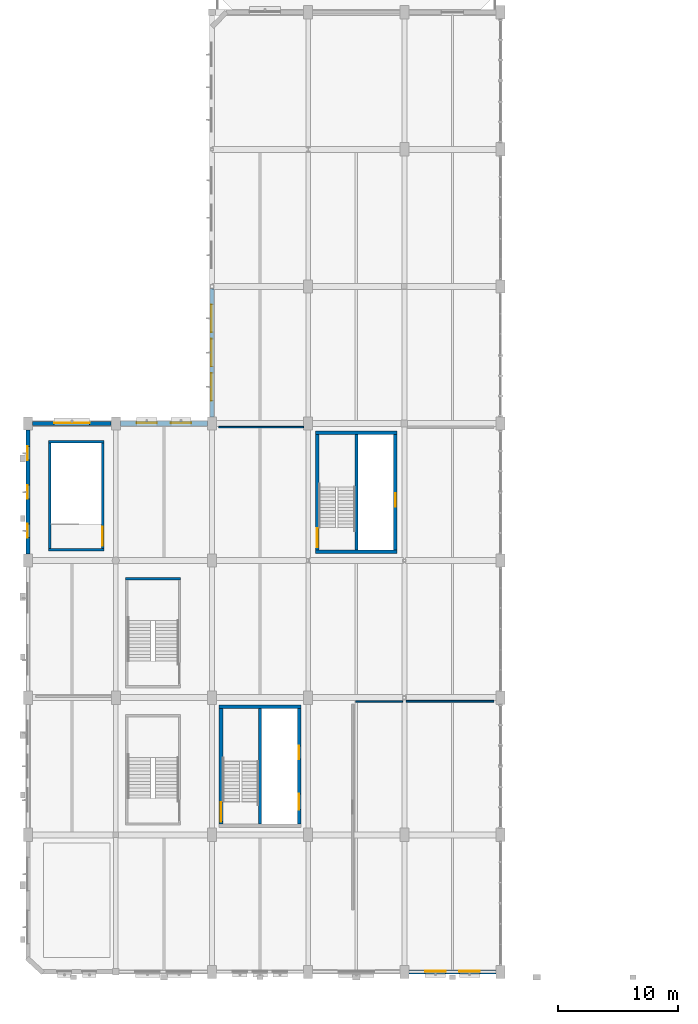
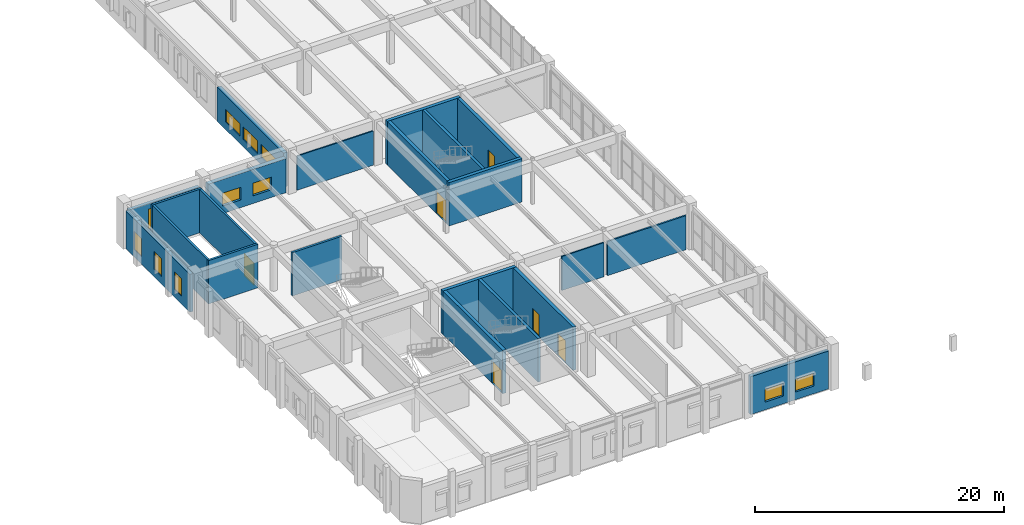
# One storey, part 65 of 80: 22 walls, 11 windows, 6 doors, 17 openings.
"""IFC4 building model written with IfcOpenShell, lengths in metres."""

from ifc_helpers import new_model, si_unit, direction, frame, frame_2d, origin, place, context, subcontext, project, spatial, rectangle, extrude, material, layer, layer_set, type_object, element, fill, save


model = new_model("IFC4")

# Units and contexts
model_context = context("Model", 3, precision=1e-05, world=origin(), true_north=direction((0.0, 1.0)))
body_context = subcontext(model_context, "Body", "Model", "MODEL_VIEW")
ifc_project = project(units=[si_unit("LENGTHUNIT", "METRE"), si_unit("AREAUNIT", "SQUARE_METRE"), si_unit("VOLUMEUNIT", "CUBIC_METRE"), si_unit("PLANEANGLEUNIT", "RADIAN"), si_unit("MASSUNIT", "GRAM", prefix="KILO"), si_unit("POWERUNIT", "WATT"), si_unit("THERMODYNAMICTEMPERATUREUNIT", "KELVIN")], contexts=[model_context])

# Site, building, storey
site_placement = place(None, origin())
site = spatial("IfcSite", under=ifc_project, at=site_placement, CompositionType="ELEMENT")
building_placement = place(site_placement, origin())
building = spatial("IfcBuilding", under=site, at=building_placement, Name="Kelmbourne Parkland Aquatics Centre", CompositionType="ELEMENT")
storey_placement = place(building_placement, frame((0.0, 0.0, 10.199951171875)))
storey = spatial("IfcBuildingStorey", under=building, at=storey_placement, Name="L02", CompositionType="ELEMENT", Elevation=10.199951171875)

# Walls
ifc_material_1 = material(Name="Concrete C40/50", Category="concrete")
ifc_layer_1 = layer(ifc_material_1, 0.25)
ifc_layer_set_1 = layer_set([ifc_layer_1], Name="Concrete C40/50")
wall_type_1 = type_object("IfcWallType", Name="W-CORE-250", PredefinedType="SHEAR", material=ifc_layer_set_1)
wall_1_placement = place(storey_placement, frame((20.0, 13.10009765625, 0.0), z_axis=(0.0, 0.0, 1.0), x_axis=(0.0, 1.0, 0.0)))
element("IfcWall", 1, at=wall_1_placement, inside=storey, type_object=wall_type_1, Name="West Wing South Fire-Fighting Core divider wall (L02)", PredefinedType="SHEAR", context=body_context, shape_type="SweptSolid", body=[
    extrude(rectangle(XDim=9.599853515625, YDim=0.25, at=frame_2d((4.7998046875, 0.0))), origin(), (0.0, 0.0, 1.0), 4.260009765625),
])
wall_2_placement = place(storey_placement, frame((28.0, 35.89990234375, 0.0), z_axis=(0.0, 0.0, 1.0), x_axis=(0.0, 1.0, 0.0)))
element("IfcWall", 2, at=wall_2_placement, inside=storey, type_object=wall_type_1, Name="West Wing North Passenger Core divider wall (L02)", PredefinedType="SHEAR", context=body_context, shape_type="SweptSolid", body=[
    extrude(rectangle(XDim=9.60009765625, YDim=0.25, at=frame_2d((4.800048828125, 0.0))), origin(), (0.0, 0.0, 1.0), 4.260009765625),
])
ifc_layer_2 = layer(ifc_material_1, 0.300048828125)
ifc_layer_set_2 = layer_set([ifc_layer_2], Name="Concrete C40/50")
wall_type_2 = type_object("IfcWallType", Name="W-CORE-300", PredefinedType="SHEAR", material=ifc_layer_set_2)
wall_3_placement = place(storey_placement, frame((16.60009765625, 22.85009765625, 0.0), z_axis=(0.0, 0.0, 1.0), x_axis=(1.0, 0.0, 0.0)))
element("IfcWall", 3, at=wall_3_placement, inside=storey, type_object=wall_type_2, Name="West Wing South Fire-Fighting Core north wall (L02)", PredefinedType="SHEAR", context=body_context, shape_type="SweptSolid", body=[
    extrude(rectangle(XDim=6.7998046875, YDim=0.300048828125, at=frame_2d((3.39990234375, 0.0))), origin(), (0.0, 0.0, 1.0), 4.260009765625),
])

# Wall, opening, door
wall_4_placement = place(storey_placement, frame((16.75, 13.10009765625, 0.0), z_axis=(0.0, 0.0, 1.0), x_axis=(0.0, 1.0, 0.0)))
wall_4 = element("IfcWall", 4, at=wall_4_placement, inside=storey, type_object=wall_type_2, Name="West Wing South Fire-Fighting Core west wall (L02)", PredefinedType="SHEAR", context=body_context, shape_type="SweptSolid", body=[
    extrude(rectangle(XDim=9.599853515625, YDim=0.300048828125, at=frame_2d((4.7998046875, 0.0))), origin(), (0.0, 0.0, 1.0), 4.260009765625),
])
opening_1_placement = place(wall_4_placement, frame((0.199951171875, 0.0, 0.0)))
opening_1 = element("IfcOpeningElement", 5, at=opening_1_placement, cuts=wall_4, Name="Opening FD02", PredefinedType="OPENING", context=body_context, shape_type="SweptSolid", body=[
    extrude(rectangle(XDim=1.60009765625, YDim=2.199951171875, at=frame_2d((0.800048828125, 1.10009765625))), frame((0.0, 0.162109375, 0.0), z_axis=(0.0, -1.0, 0.0), x_axis=(1.0, 0.0, 0.0)), (0.0, 0.0, 1.0), 0.323974609375),
])
ifc_material_2 = material(Name="Marine-grade stainless steel and fire-rated hardwood doorset", Category="steel")
ifc_layer_3 = layer(ifc_material_2, 0.050048828125)
ifc_layer_set_3 = layer_set([ifc_layer_3], Name="Marine-grade stainless steel and fire-rated hardwood doorset")
door_type_1 = type_object("IfcDoorType", Name="DR-FD-160", OperationType="NOTDEFINED", PredefinedType="DOOR", material=ifc_layer_set_3)
door_1_placement = place(opening_1_placement, origin())
door_1 = element("IfcDoor", 6, at=door_1_placement, inside=storey, type_object=door_type_1, Name="Fire stair door ST01 (L02)", OperationType="DOUBLE_DOOR_SINGLE_SWING", OverallHeight=2.199951171875, OverallWidth=1.60009765625, PredefinedType="DOOR", context=body_context, shape_type="SweptSolid", body=[
    extrude(rectangle(XDim=1.60009765625, YDim=2.199951171875, at=frame_2d((0.800048828125, 1.10009765625))), frame((0.0, 0.02490234375, 0.0), z_axis=(0.0, -1.0, 0.0), x_axis=(1.0, 0.0, 0.0)), (0.0, 0.0, 1.0), 0.050048828125),
])
fill(opening_1, door_1)

# Wall, openings, doors
wall_5_placement = place(storey_placement, frame((23.25, 13.10009765625, 0.0), z_axis=(0.0, 0.0, 1.0), x_axis=(0.0, 1.0, 0.0)))
wall_5 = element("IfcWall", 7, at=wall_5_placement, inside=storey, type_object=wall_type_2, Name="West Wing South Fire-Fighting Core east wall (L02)", PredefinedType="SHEAR", context=body_context, shape_type="SweptSolid", body=[
    extrude(rectangle(XDim=9.599853515625, YDim=0.300048828125, at=frame_2d((4.7998046875, 0.0))), origin(), (0.0, 0.0, 1.0), 4.260009765625),
])
opening_2_placement = place(wall_5_placement, frame((1.199951171875, 0.0, 0.0)))
opening_2 = element("IfcOpeningElement", 8, at=opening_2_placement, cuts=wall_5, Name="Opening LD02", PredefinedType="OPENING", context=body_context, shape_type="SweptSolid", body=[
    extrude(rectangle(XDim=1.300048828125, YDim=2.199951171875, at=frame_2d((0.64990234375, 1.10009765625))), frame((0.0, 0.162109375, 0.0), z_axis=(0.0, -1.0, 0.0), x_axis=(1.0, 0.0, 0.0)), (0.0, 0.0, 1.0), 0.323974609375),
])
opening_3_placement = place(wall_5_placement, frame((5.39990234375, 0.0, 0.0)))
opening_3 = element("IfcOpeningElement", 9, at=opening_3_placement, cuts=wall_5, Name="Opening LD01", PredefinedType="OPENING", context=body_context, shape_type="SweptSolid", body=[
    extrude(rectangle(XDim=1.10009765625, YDim=2.199951171875, at=frame_2d((0.550048828125, 1.10009765625))), frame((0.0, 0.162109375, 0.0), z_axis=(0.0, -1.0, 0.0), x_axis=(1.0, 0.0, 0.0)), (0.0, 0.0, 1.0), 0.323974609375),
])
ifc_layer_4 = layer(ifc_material_2, 0.050048828125)
ifc_layer_set_4 = layer_set([ifc_layer_4], Name="Marine-grade stainless steel and fire-rated hardwood doorset")
door_type_2 = type_object("IfcDoorType", Name="DR-LD-110", OperationType="NOTDEFINED", PredefinedType="DOOR", material=ifc_layer_set_4)
door_2_placement = place(opening_3_placement, origin())
door_2 = element("IfcDoor", 10, at=door_2_placement, inside=storey, type_object=door_type_2, Name="Lift landing sliding door LF02 (L02)", OperationType="SLIDING_TO_RIGHT", OverallHeight=2.199951171875, OverallWidth=1.10009765625, PredefinedType="DOOR", context=body_context, shape_type="SweptSolid", body=[
    extrude(rectangle(XDim=1.10009765625, YDim=2.199951171875, at=frame_2d((0.550048828125, 1.10009765625))), frame((0.0, 0.02490234375, 0.0), z_axis=(0.0, -1.0, 0.0), x_axis=(1.0, 0.0, 0.0)), (0.0, 0.0, 1.0), 0.050048828125),
])
fill(opening_3, door_2)
ifc_layer_5 = layer(ifc_material_2, 0.050048828125)
ifc_layer_set_5 = layer_set([ifc_layer_5], Name="Marine-grade stainless steel and fire-rated hardwood doorset")
door_type_3 = type_object("IfcDoorType", Name="DR-LD-130", OperationType="NOTDEFINED", PredefinedType="DOOR", material=ifc_layer_set_5)
door_3_placement = place(opening_2_placement, origin())
door_3 = element("IfcDoor", 11, at=door_3_placement, inside=storey, type_object=door_type_3, Name="Lift landing sliding door LF01 (L02)", OperationType="SLIDING_TO_LEFT", OverallHeight=2.199951171875, OverallWidth=1.300048828125, PredefinedType="DOOR", context=body_context, shape_type="SweptSolid", body=[
    extrude(rectangle(XDim=1.300048828125, YDim=2.199951171875, at=frame_2d((0.64990234375, 1.10009765625))), frame((0.0, 0.02490234375, 0.0), z_axis=(0.0, -1.0, 0.0), x_axis=(1.0, 0.0, 0.0)), (0.0, 0.0, 1.0), 0.050048828125),
])
fill(opening_2, door_3)

# Walls
for number, where, z_axis, x_axis, name in (
    (12, (24.60009765625, 35.75, 0.0), (0.0, 0.0, 1.0), (1.0, 0.0, 0.0), "West Wing North Passenger Core south wall (L02)"),
    (13, (24.60009765625, 45.64990234375, 0.0), (0.0, 0.0, 1.0), (1.0, 0.0, 0.0), "West Wing North Passenger Core north wall (L02)"),
):
    element("IfcWall", number, at=place(storey_placement, frame(where, z_axis=z_axis, x_axis=x_axis)), inside=storey, type_object=wall_type_2, Name=name, PredefinedType="SHEAR", context=body_context, shape_type="SweptSolid", body=[
        extrude(rectangle(XDim=6.7998046875, YDim=0.300048828125, at=frame_2d((3.39990234375, 0.0))), origin(), (0.0, 0.0, 1.0), 4.260009765625),
    ])

# Wall, opening, door
wall_6_placement = place(storey_placement, frame((24.75, 35.89990234375, 0.0), z_axis=(0.0, 0.0, 1.0), x_axis=(0.0, 1.0, 0.0)))
wall_6 = element("IfcWall", 14, at=wall_6_placement, inside=storey, type_object=wall_type_2, Name="West Wing North Passenger Core west wall (L02)", PredefinedType="SHEAR", context=body_context, shape_type="SweptSolid", body=[
    extrude(rectangle(XDim=9.60009765625, YDim=0.300048828125, at=frame_2d((4.800048828125, 0.0))), origin(), (0.0, 0.0, 1.0), 4.260009765625),
])
opening_4_placement = place(wall_6_placement, frame((0.199951171875, 0.0, 0.0)))
opening_4 = element("IfcOpeningElement", 15, at=opening_4_placement, cuts=wall_6, Name="Opening FD02", PredefinedType="OPENING", context=body_context, shape_type="SweptSolid", body=[
    extrude(rectangle(XDim=1.60009765625, YDim=2.199951171875, at=frame_2d((0.800048828125, 1.10009765625))), frame((0.0, 0.162109375, 0.0), z_axis=(0.0, -1.0, 0.0), x_axis=(1.0, 0.0, 0.0)), (0.0, 0.0, 1.0), 0.323974609375),
])
door_4_placement = place(opening_4_placement, origin())
door_4 = element("IfcDoor", 16, at=door_4_placement, inside=storey, type_object=door_type_1, Name="Fire stair door ST02 (L02)", OperationType="DOUBLE_DOOR_SINGLE_SWING", OverallHeight=2.199951171875, OverallWidth=1.60009765625, PredefinedType="DOOR", context=body_context, shape_type="SweptSolid", body=[
    extrude(rectangle(XDim=1.60009765625, YDim=2.199951171875, at=frame_2d((0.800048828125, 1.10009765625))), frame((0.0, 0.02490234375, 0.0), z_axis=(0.0, -1.0, 0.0), x_axis=(1.0, 0.0, 0.0)), (0.0, 0.0, 1.0), 0.050048828125),
])
fill(opening_4, door_4)

wall_7_placement = place(storey_placement, frame((31.25, 35.89990234375, 0.0), z_axis=(0.0, 0.0, 1.0), x_axis=(0.0, 1.0, 0.0)))
wall_7 = element("IfcWall", 17, at=wall_7_placement, inside=storey, type_object=wall_type_2, Name="West Wing North Passenger Core east wall (L02)", PredefinedType="SHEAR", context=body_context, shape_type="SweptSolid", body=[
    extrude(rectangle(XDim=9.60009765625, YDim=0.300048828125, at=frame_2d((4.800048828125, 0.0))), origin(), (0.0, 0.0, 1.0), 4.260009765625),
])
opening_5_placement = place(wall_7_placement, frame((3.60009765625, 0.0, 0.0)))
opening_5 = element("IfcOpeningElement", 18, at=opening_5_placement, cuts=wall_7, Name="Opening LD01", PredefinedType="OPENING", context=body_context, shape_type="SweptSolid", body=[
    extrude(rectangle(XDim=1.10009765625, YDim=2.199951171875, at=frame_2d((0.550048828125, 1.10009765625))), frame((0.0, 0.162109375, 0.0), z_axis=(0.0, -1.0, 0.0), x_axis=(1.0, 0.0, 0.0)), (0.0, 0.0, 1.0), 0.323974609375),
])
door_5_placement = place(opening_5_placement, origin())
door_5 = element("IfcDoor", 19, at=door_5_placement, inside=storey, type_object=door_type_2, Name="Lift landing sliding door LF03 (L02)", OperationType="SLIDING_TO_LEFT", OverallHeight=2.199951171875, OverallWidth=1.10009765625, PredefinedType="DOOR", context=body_context, shape_type="SweptSolid", body=[
    extrude(rectangle(XDim=1.10009765625, YDim=2.199951171875, at=frame_2d((0.550048828125, 1.10009765625))), frame((0.0, 0.02490234375, 0.0), z_axis=(0.0, -1.0, 0.0), x_axis=(1.0, 0.0, 0.0)), (0.0, 0.0, 1.0), 0.050048828125),
])
fill(opening_5, door_5)

# Wall, openings, windows
ifc_material_3 = material(Name="Russet clinker clay brickwork", Category="masonry")
ifc_layer_6 = layer(ifc_material_3, 0.31005859375)
ifc_layer_set_6 = layer_set([ifc_layer_6], Name="Russet clinker clay brickwork")
wall_type_3 = type_object("IfcWallType", Name="W-EXT-310", PredefinedType="STANDARD", material=ifc_layer_set_6)
wall_8_placement = place(storey_placement, frame((0.699951171875, 35.552001953125, 0.0), z_axis=(0.0, 0.0, 1.0), x_axis=(0.0, 1.0, 0.0)))
wall_8 = element("IfcWall", 20, at=wall_8_placement, inside=storey, type_object=wall_type_3, Name="Exterior polychrome brick wall EW-L02-095", PredefinedType="STANDARD", context=body_context, shape_type="SweptSolid", body=[
    extrude(rectangle(XDim=10.2958984375, YDim=0.31005859375, at=frame_2d((5.14794921875, 0.0))), origin(), (0.0, 0.0, 1.0), 3.712158203125),
])
opening_6_placement = place(wall_8_placement, frame((1.35009765625, 0.0, 0.75)))
opening_6 = element("IfcOpeningElement", 21, at=opening_6_placement, cuts=wall_8, Name="Opening W02", PredefinedType="OPENING", context=body_context, shape_type="SweptSolid", body=[
    extrude(rectangle(XDim=1.14990234375, YDim=1.75, at=frame_2d((0.574951171875, 0.875))), frame((0.0, 0.1669921875, 0.0), z_axis=(0.0, -1.0, 0.0), x_axis=(1.0, 0.0, 0.0)), (0.0, 0.0, 1.0), 0.333984375),
])
opening_7_placement = place(wall_8_placement, frame((4.572998046875, 0.0, 0.75)))
opening_7 = element("IfcOpeningElement", 22, at=opening_7_placement, cuts=wall_8, Name="Opening W02", PredefinedType="OPENING", context=body_context, shape_type="SweptSolid", body=[
    extrude(rectangle(XDim=1.14990234375, YDim=1.75, at=frame_2d((0.574951171875, 0.875))), frame((0.0, 0.1669921875, 0.0), z_axis=(0.0, -1.0, 0.0), x_axis=(1.0, 0.0, 0.0)), (0.0, 0.0, 1.0), 0.333984375),
])
opening_8_placement = place(wall_8_placement, frame((7.7958984375, 0.0, 0.75)))
opening_8 = element("IfcOpeningElement", 23, at=opening_8_placement, cuts=wall_8, Name="Opening W02", PredefinedType="OPENING", context=body_context, shape_type="SweptSolid", body=[
    extrude(rectangle(XDim=1.14990234375, YDim=1.75, at=frame_2d((0.574951171875, 0.875))), frame((0.0, 0.1669921875, 0.0), z_axis=(0.0, -1.0, 0.0), x_axis=(1.0, 0.0, 0.0)), (0.0, 0.0, 1.0), 0.333984375),
])
ifc_material_4 = material(Name="Thermally broken anodised aluminium window with low-e glass", Category="aluminium")
ifc_layer_7 = layer(ifc_material_4, 0.090087890625)
ifc_layer_set_7 = layer_set([ifc_layer_7], Name="Thermally broken anodised aluminium window with low-e glass")
window_type_1 = type_object("IfcWindowType", Name="WN-02", PartitioningType="SINGLE_PANEL", PredefinedType="WINDOW", material=ifc_layer_set_7)
window_1_placement = place(opening_6_placement, origin())
window_1 = element("IfcWindow", 24, at=window_1_placement, inside=storey, type_object=window_type_1, Name="Deep-reveal masonry window W02", OverallHeight=1.75, OverallWidth=1.14990234375, PartitioningType="SINGLE_PANEL", PredefinedType="WINDOW", context=body_context, shape_type="SweptSolid", body=[
    extrude(rectangle(XDim=1.14990234375, YDim=1.75, at=frame_2d((0.574951171875, 0.875))), frame((0.0, 0.080078125, 0.0), z_axis=(0.0, -1.0, 0.0), x_axis=(1.0, 0.0, 0.0)), (0.0, 0.0, 1.0), 0.06005859375),
])
fill(opening_6, window_1)
window_2_placement = place(opening_7_placement, origin())
window_2 = element("IfcWindow", 25, at=window_2_placement, inside=storey, type_object=window_type_1, Name="Deep-reveal masonry window W02", OverallHeight=1.75, OverallWidth=1.14990234375, PartitioningType="SINGLE_PANEL", PredefinedType="WINDOW", context=body_context, shape_type="SweptSolid", body=[
    extrude(rectangle(XDim=1.14990234375, YDim=1.75, at=frame_2d((0.574951171875, 0.875))), frame((0.0, 0.080078125, 0.0), z_axis=(0.0, -1.0, 0.0), x_axis=(1.0, 0.0, 0.0)), (0.0, 0.0, 1.0), 0.06005859375),
])
fill(opening_7, window_2)
window_3_placement = place(opening_8_placement, origin())
window_3 = element("IfcWindow", 26, at=window_3_placement, inside=storey, type_object=window_type_1, Name="Deep-reveal masonry window W02", OverallHeight=1.75, OverallWidth=1.14990234375, PartitioningType="SINGLE_PANEL", PredefinedType="WINDOW", context=body_context, shape_type="SweptSolid", body=[
    extrude(rectangle(XDim=1.14990234375, YDim=1.75, at=frame_2d((0.574951171875, 0.875))), frame((0.0, 0.080078125, 0.0), z_axis=(0.0, -1.0, 0.0), x_axis=(1.0, 0.0, 0.0)), (0.0, 0.0, 1.0), 0.06005859375),
])
fill(opening_8, window_3)

# Wall, opening, window
wall_9_placement = place(storey_placement, frame((1.076904296875, 46.39990234375, 0.0), z_axis=(0.0, 0.0, 1.0), x_axis=(1.0, 0.0, 0.0)))
wall_9 = element("IfcWall", 27, at=wall_9_placement, inside=storey, type_object=wall_type_3, Name="Exterior polychrome brick wall EW-L02-101", PredefinedType="STANDARD", context=body_context, shape_type="SweptSolid", body=[
    extrude(rectangle(XDim=6.546142578125, YDim=0.31005859375, at=frame_2d((3.27294921875, 0.0))), origin(), (0.0, 0.0, 1.0), 3.344970703125),
])
opening_9_placement = place(wall_9_placement, frame((1.798095703125, 0.0, 0.75)))
opening_9 = element("IfcOpeningElement", 28, at=opening_9_placement, cuts=wall_9, Name="Opening W12", PredefinedType="OPENING", context=body_context, shape_type="SweptSolid", body=[
    extrude(rectangle(XDim=2.949951171875, YDim=2.050048828125, at=frame_2d((1.47509765625, 1.02490234375))), frame((0.0, 0.1669921875, 0.0), z_axis=(0.0, -1.0, 0.0), x_axis=(1.0, 0.0, 0.0)), (0.0, 0.0, 1.0), 0.333984375),
])
ifc_layer_8 = layer(ifc_material_4, 0.090087890625)
ifc_layer_set_8 = layer_set([ifc_layer_8], Name="Thermally broken anodised aluminium window with low-e glass")
window_type_2 = type_object("IfcWindowType", Name="WN-12", PartitioningType="TRIPLE_PANEL_VERTICAL", PredefinedType="WINDOW", material=ifc_layer_set_8)
window_4_placement = place(opening_9_placement, origin())
window_4 = element("IfcWindow", 29, at=window_4_placement, inside=storey, type_object=window_type_2, Name="Deep-reveal masonry window W12", OverallHeight=2.050048828125, OverallWidth=2.949951171875, PartitioningType="TRIPLE_PANEL_VERTICAL", PredefinedType="WINDOW", context=body_context, shape_type="SweptSolid", body=[
    extrude(rectangle(XDim=2.949951171875, YDim=2.050048828125, at=frame_2d((1.47509765625, 1.02490234375))), frame((0.0, 0.080078125, 0.0), z_axis=(0.0, -1.0, 0.0), x_axis=(1.0, 0.0, 0.0)), (0.0, 0.0, 1.0), 0.06005859375),
])
fill(opening_9, window_4)

# Wall, openings, windows
ifc_material_5 = material(Name="Polychrome glazed brick header coursework", Category="masonry")
ifc_layer_9 = layer(ifc_material_5, 0.35009765625)
ifc_layer_set_9 = layer_set([ifc_layer_9], Name="Polychrome glazed brick header coursework")
wall_type_4 = type_object("IfcWallType", Name="W-EXT-350", PredefinedType="STANDARD", material=ifc_layer_set_9)
wall_10_placement = place(storey_placement, frame((32.376953125, 0.800048828125, 0.0), z_axis=(0.0, 0.0, 1.0), x_axis=(1.0, 0.0, 0.0)))
wall_10 = element("IfcWall", 30, at=wall_10_placement, inside=storey, type_object=wall_type_4, Name="Exterior polychrome brick wall EW-L02-100", PredefinedType="STANDARD", context=body_context, shape_type="SweptSolid", body=[
    extrude(rectangle(XDim=7.24609375, YDim=0.35009765625, at=frame_2d((3.623046875, 0.0))), origin(), (0.0, 0.0, 1.0), 3.712158203125),
])
opening_10_placement = place(wall_10_placement, frame((1.35009765625, 0.0, 0.75)))
opening_10 = element("IfcOpeningElement", 31, at=opening_10_placement, cuts=wall_10, Name="Opening W14", PredefinedType="OPENING", context=body_context, shape_type="SweptSolid", body=[
    extrude(rectangle(XDim=1.699951171875, YDim=1.25, at=frame_2d((0.85009765625, 0.625))), frame((0.0, 0.18701171875, 0.0), z_axis=(0.0, -1.0, 0.0), x_axis=(1.0, 0.0, 0.0)), (0.0, 0.0, 1.0), 0.3740234375),
])
opening_11_placement = place(wall_10_placement, frame((4.196044921875, 0.0, 0.75)))
opening_11 = element("IfcOpeningElement", 32, at=opening_11_placement, cuts=wall_10, Name="Opening W14", PredefinedType="OPENING", context=body_context, shape_type="SweptSolid", body=[
    extrude(rectangle(XDim=1.699951171875, YDim=1.25, at=frame_2d((0.85009765625, 0.625))), frame((0.0, 0.18701171875, 0.0), z_axis=(0.0, -1.0, 0.0), x_axis=(1.0, 0.0, 0.0)), (0.0, 0.0, 1.0), 0.3740234375),
])
ifc_layer_10 = layer(ifc_material_4, 0.090087890625)
ifc_layer_set_10 = layer_set([ifc_layer_10], Name="Thermally broken anodised aluminium window with low-e glass")
window_type_3 = type_object("IfcWindowType", Name="WN-14", PartitioningType="DOUBLE_PANEL_HORIZONTAL", PredefinedType="WINDOW", material=ifc_layer_set_10)
window_5_placement = place(opening_10_placement, origin())
window_5 = element("IfcWindow", 33, at=window_5_placement, inside=storey, type_object=window_type_3, Name="Deep-reveal masonry window W14", OverallHeight=1.25, OverallWidth=1.699951171875, PartitioningType="DOUBLE_PANEL_HORIZONTAL", PredefinedType="WINDOW", context=body_context, shape_type="SweptSolid", body=[
    extrude(rectangle(XDim=1.699951171875, YDim=1.25, at=frame_2d((0.85009765625, 0.625))), frame((0.0, 0.080078125, 0.0), z_axis=(0.0, -1.0, 0.0), x_axis=(1.0, 0.0, 0.0)), (0.0, 0.0, 1.0), 0.06005859375),
])
fill(opening_10, window_5)
window_6_placement = place(opening_11_placement, origin())
window_6 = element("IfcWindow", 34, at=window_6_placement, inside=storey, type_object=window_type_3, Name="Deep-reveal masonry window W14", OverallHeight=1.25, OverallWidth=1.699951171875, PartitioningType="DOUBLE_PANEL_HORIZONTAL", PredefinedType="WINDOW", context=body_context, shape_type="SweptSolid", body=[
    extrude(rectangle(XDim=1.699951171875, YDim=1.25, at=frame_2d((0.85009765625, 0.625))), frame((0.0, 0.080078125, 0.0), z_axis=(0.0, -1.0, 0.0), x_axis=(1.0, 0.0, 0.0)), (0.0, 0.0, 1.0), 0.06005859375),
])
fill(opening_11, window_6)

wall_11_placement = place(storey_placement, frame((16.0, 46.951904296875, 0.0), z_axis=(0.0, 0.0, 1.0), x_axis=(0.0, 1.0, 0.0)))
wall_11 = element("IfcWall", 35, at=wall_11_placement, inside=storey, type_object=wall_type_4, Name="Exterior polychrome brick wall EW-L02-103", PredefinedType="STANDARD", context=body_context, shape_type="SweptSolid", body=[
    extrude(rectangle(XDim=10.696044921875, YDim=0.35009765625, at=frame_2d((5.34814453125, 0.0))), origin(), (0.0, 0.0, 1.0), 3.344970703125),
])
opening_12_placement = place(wall_11_placement, frame((1.35009765625, 0.0, 0.75)))
opening_12 = element("IfcOpeningElement", 36, at=opening_12_placement, cuts=wall_11, Name="Opening W15", PredefinedType="OPENING", context=body_context, shape_type="SweptSolid", body=[
    extrude(rectangle(XDim=2.300048828125, YDim=1.25, at=frame_2d((1.14990234375, 0.625))), frame((0.0, 0.18701171875, 0.0), z_axis=(0.0, -1.0, 0.0), x_axis=(1.0, 0.0, 0.0)), (0.0, 0.0, 1.0), 0.3740234375),
])
opening_13_placement = place(wall_11_placement, frame((4.197998046875, 0.0, 0.75)))
opening_13 = element("IfcOpeningElement", 37, at=opening_13_placement, cuts=wall_11, Name="Opening W15", PredefinedType="OPENING", context=body_context, shape_type="SweptSolid", body=[
    extrude(rectangle(XDim=2.300048828125, YDim=1.25, at=frame_2d((1.14990234375, 0.625))), frame((0.0, 0.18701171875, 0.0), z_axis=(0.0, -1.0, 0.0), x_axis=(1.0, 0.0, 0.0)), (0.0, 0.0, 1.0), 0.3740234375),
])
opening_14_placement = place(wall_11_placement, frame((7.0458984375, 0.0, 0.75)))
opening_14 = element("IfcOpeningElement", 38, at=opening_14_placement, cuts=wall_11, Name="Opening W15", PredefinedType="OPENING", context=body_context, shape_type="SweptSolid", body=[
    extrude(rectangle(XDim=2.300048828125, YDim=1.25, at=frame_2d((1.14990234375, 0.625))), frame((0.0, 0.18701171875, 0.0), z_axis=(0.0, -1.0, 0.0), x_axis=(1.0, 0.0, 0.0)), (0.0, 0.0, 1.0), 0.3740234375),
])
ifc_layer_11 = layer(ifc_material_4, 0.090087890625)
ifc_layer_set_11 = layer_set([ifc_layer_11], Name="Thermally broken anodised aluminium window with low-e glass")
window_type_4 = type_object("IfcWindowType", Name="WN-15", PartitioningType="DOUBLE_PANEL_HORIZONTAL", PredefinedType="WINDOW", material=ifc_layer_set_11)
window_7_placement = place(opening_12_placement, origin())
window_7 = element("IfcWindow", 39, at=window_7_placement, inside=storey, type_object=window_type_4, Name="Deep-reveal masonry window W15", OverallHeight=1.25, OverallWidth=2.300048828125, PartitioningType="DOUBLE_PANEL_HORIZONTAL", PredefinedType="WINDOW", context=body_context, shape_type="SweptSolid", body=[
    extrude(rectangle(XDim=2.300048828125, YDim=1.25, at=frame_2d((1.14990234375, 0.625))), frame((0.0, 0.080078125, 0.0), z_axis=(0.0, -1.0, 0.0), x_axis=(1.0, 0.0, 0.0)), (0.0, 0.0, 1.0), 0.06005859375),
])
fill(opening_12, window_7)
window_8_placement = place(opening_13_placement, origin())
window_8 = element("IfcWindow", 40, at=window_8_placement, inside=storey, type_object=window_type_4, Name="Deep-reveal masonry window W15", OverallHeight=1.25, OverallWidth=2.300048828125, PartitioningType="DOUBLE_PANEL_HORIZONTAL", PredefinedType="WINDOW", context=body_context, shape_type="SweptSolid", body=[
    extrude(rectangle(XDim=2.300048828125, YDim=1.25, at=frame_2d((1.14990234375, 0.625))), frame((0.0, 0.080078125, 0.0), z_axis=(0.0, -1.0, 0.0), x_axis=(1.0, 0.0, 0.0)), (0.0, 0.0, 1.0), 0.06005859375),
])
fill(opening_13, window_8)
window_9_placement = place(opening_14_placement, origin())
window_9 = element("IfcWindow", 41, at=window_9_placement, inside=storey, type_object=window_type_4, Name="Deep-reveal masonry window W15", OverallHeight=1.25, OverallWidth=2.300048828125, PartitioningType="DOUBLE_PANEL_HORIZONTAL", PredefinedType="WINDOW", context=body_context, shape_type="SweptSolid", body=[
    extrude(rectangle(XDim=2.300048828125, YDim=1.25, at=frame_2d((1.14990234375, 0.625))), frame((0.0, 0.080078125, 0.0), z_axis=(0.0, -1.0, 0.0), x_axis=(1.0, 0.0, 0.0)), (0.0, 0.0, 1.0), 0.06005859375),
])
fill(opening_14, window_9)

ifc_layer_12 = layer(ifc_material_3, 0.389892578125)
ifc_layer_set_12 = layer_set([ifc_layer_12], Name="Russet clinker clay brickwork")
wall_type_5 = type_object("IfcWallType", Name="W-EXT-390", PredefinedType="STANDARD", material=ifc_layer_set_12)
wall_12_placement = place(storey_placement, frame((8.376953125, 46.39990234375, 0.0), z_axis=(0.0, 0.0, 1.0), x_axis=(1.0, 0.0, 0.0)))
wall_12 = element("IfcWall", 42, at=wall_12_placement, inside=storey, type_object=wall_type_5, Name="Exterior polychrome brick wall EW-L02-102", PredefinedType="STANDARD", context=body_context, shape_type="SweptSolid", body=[
    extrude(rectangle(XDim=7.24609375, YDim=0.389892578125, at=frame_2d((3.623046875, 0.0))), origin(), (0.0, 0.0, 1.0), 3.344970703125),
])
opening_15_placement = place(wall_12_placement, frame((1.35009765625, 0.0, 0.75)))
opening_15 = element("IfcOpeningElement", 43, at=opening_15_placement, cuts=wall_12, Name="Opening W14", PredefinedType="OPENING", context=body_context, shape_type="SweptSolid", body=[
    extrude(rectangle(XDim=1.699951171875, YDim=1.25, at=frame_2d((0.85009765625, 0.625))), frame((0.0, 0.20703125, 0.0), z_axis=(0.0, -1.0, 0.0), x_axis=(1.0, 0.0, 0.0)), (0.0, 0.0, 1.0), 0.413818359375),
])
opening_16_placement = place(wall_12_placement, frame((4.196044921875, 0.0, 0.75)))
opening_16 = element("IfcOpeningElement", 44, at=opening_16_placement, cuts=wall_12, Name="Opening W14", PredefinedType="OPENING", context=body_context, shape_type="SweptSolid", body=[
    extrude(rectangle(XDim=1.699951171875, YDim=1.25, at=frame_2d((0.85009765625, 0.625))), frame((0.0, 0.20703125, 0.0), z_axis=(0.0, -1.0, 0.0), x_axis=(1.0, 0.0, 0.0)), (0.0, 0.0, 1.0), 0.413818359375),
])
window_10_placement = place(opening_15_placement, origin())
window_10 = element("IfcWindow", 45, at=window_10_placement, inside=storey, type_object=window_type_3, Name="Deep-reveal masonry window W14", OverallHeight=1.25, OverallWidth=1.699951171875, PartitioningType="DOUBLE_PANEL_HORIZONTAL", PredefinedType="WINDOW", context=body_context, shape_type="SweptSolid", body=[
    extrude(rectangle(XDim=1.699951171875, YDim=1.25, at=frame_2d((0.85009765625, 0.625))), frame((0.0, 0.080078125, 0.0), z_axis=(0.0, -1.0, 0.0), x_axis=(1.0, 0.0, 0.0)), (0.0, 0.0, 1.0), 0.06005859375),
])
fill(opening_15, window_10)
window_11_placement = place(opening_16_placement, origin())
window_11 = element("IfcWindow", 46, at=window_11_placement, inside=storey, type_object=window_type_3, Name="Deep-reveal masonry window W14", OverallHeight=1.25, OverallWidth=1.699951171875, PartitioningType="DOUBLE_PANEL_HORIZONTAL", PredefinedType="WINDOW", context=body_context, shape_type="SweptSolid", body=[
    extrude(rectangle(XDim=1.699951171875, YDim=1.25, at=frame_2d((0.85009765625, 0.625))), frame((0.0, 0.080078125, 0.0), z_axis=(0.0, -1.0, 0.0), x_axis=(1.0, 0.0, 0.0)), (0.0, 0.0, 1.0), 0.06005859375),
])
fill(opening_16, window_11)

# Walls
ifc_material_6 = material(Name="Concrete blockwork C32/40", Category="masonry")
ifc_layer_13 = layer(ifc_material_6, 0.199951171875)
ifc_layer_set_13 = layer_set([ifc_layer_13], Name="Concrete blockwork C32/40")
wall_type_6 = type_object("IfcWallType", Name="W-FIRE-200", PredefinedType="SOLIDWALL", material=ifc_layer_set_13)
wall_13_placement = place(storey_placement, frame((8.800048828125, 33.5, 0.0), z_axis=(0.0, 0.0, 1.0), x_axis=(1.0, 0.0, 0.0)))
element("IfcWall", 47, at=wall_13_placement, inside=storey, type_object=wall_type_6, Name="West Central Park Exit Stair north enclosure (L02)", PredefinedType="SOLIDWALL", context=body_context, shape_type="SweptSolid", body=[
    extrude(rectangle(XDim=4.599853515625, YDim=0.199951171875, at=frame_2d((2.2998046875, 0.0))), origin(), (0.0, 0.0, 1.0), 4.260009765625),
])
for number, where, z_axis, x_axis, name in (
    (48, (2.39990234375, 35.89990234375, 0.0), (0.0, 0.0, 1.0), (1.0, 0.0, 0.0), "West Hydrotherapy Exit Stair south enclosure (L02)"),
    (49, (2.39990234375, 44.89990234375, 0.0), (0.0, 0.0, 1.0), (1.0, 0.0, 0.0), "West Hydrotherapy Exit Stair north enclosure (L02)"),
):
    element("IfcWall", number, at=place(storey_placement, frame(where, z_axis=z_axis, x_axis=x_axis)), inside=storey, type_object=wall_type_6, Name=name, PredefinedType="SOLIDWALL", context=body_context, shape_type="SweptSolid", body=[
        extrude(rectangle(XDim=4.60009765625, YDim=0.199951171875, at=frame_2d((2.300048828125, 0.0))), origin(), (0.0, 0.0, 1.0), 4.260009765625),
    ])
wall_14_placement = place(storey_placement, frame((2.5, 36.0, 0.0), z_axis=(0.0, 0.0, 1.0), x_axis=(0.0, 1.0, 0.0)))
element("IfcWall", 50, at=wall_14_placement, inside=storey, type_object=wall_type_6, Name="West Hydrotherapy Exit Stair west enclosure (L02)", PredefinedType="SOLIDWALL", context=body_context, shape_type="SweptSolid", body=[
    extrude(rectangle(XDim=8.800048828125, YDim=0.199951171875, at=frame_2d((4.39990234375, 0.0))), origin(), (0.0, 0.0, 1.0), 4.260009765625),
])

# Wall, opening, door
wall_15_placement = place(storey_placement, frame((6.89990234375, 36.0, 0.0), z_axis=(0.0, 0.0, 1.0), x_axis=(0.0, 1.0, 0.0)))
wall_15 = element("IfcWall", 51, at=wall_15_placement, inside=storey, type_object=wall_type_6, Name="West Hydrotherapy Exit Stair east enclosure (L02)", PredefinedType="SOLIDWALL", context=body_context, shape_type="SweptSolid", body=[
    extrude(rectangle(XDim=8.800048828125, YDim=0.199951171875, at=frame_2d((4.39990234375, 0.0))), origin(), (0.0, 0.0, 1.0), 4.260009765625),
])
opening_17_placement = place(wall_15_placement, frame((0.219970703125, 0.0, 0.0)))
opening_17 = element("IfcOpeningElement", 52, at=opening_17_placement, cuts=wall_15, Name="Opening FD02", PredefinedType="OPENING", context=body_context, shape_type="SweptSolid", body=[
    extrude(rectangle(XDim=1.60009765625, YDim=2.199951171875, at=frame_2d((0.800048828125, 1.10009765625))), frame((0.0, 0.11181640625, 0.0), z_axis=(0.0, -1.0, 0.0), x_axis=(1.0, 0.0, 0.0)), (0.0, 0.0, 1.0), 0.223876953125),
])
door_6_placement = place(opening_17_placement, frame((1.60009765625, 0.0, 0.0), z_axis=(0.0, 0.0, 1.0), x_axis=(-1.0, 0.0, 0.0)))
door_6 = element("IfcDoor", 53, at=door_6_placement, inside=storey, type_object=door_type_1, Name="Exit stair fire door ST08 (L02)", OperationType="DOUBLE_DOOR_SINGLE_SWING", OverallHeight=2.199951171875, OverallWidth=1.60009765625, PredefinedType="DOOR", context=body_context, shape_type="SweptSolid", body=[
    extrude(rectangle(XDim=1.60009765625, YDim=2.199951171875, at=frame_2d((0.800048828125, 1.10009765625))), frame((0.0, 0.02490234375, 0.0), z_axis=(0.0, -1.0, 0.0), x_axis=(1.0, 0.0, 0.0)), (0.0, 0.0, 1.0), 0.050048828125),
])
fill(opening_17, door_6)

# Walls
ifc_material_7 = material(Name="Moisture-resistant acoustic stud partition", Category="gypsum")
ifc_layer_14 = layer(ifc_material_7, 0.1201171875)
ifc_layer_set_14 = layer_set([ifc_layer_14], Name="Moisture-resistant acoustic stud partition")
wall_type_7 = type_object("IfcWallType", Name="W-PART-120", PredefinedType="PARTITIONING", material=ifc_layer_set_14)
wall_16_placement = place(storey_placement, frame((27.949951171875, 23.300048828125, 0.0), z_axis=(0.0, 0.0, 1.0), x_axis=(1.0, 0.0, 0.0)))
element("IfcWall", 54, at=wall_16_placement, inside=storey, type_object=wall_type_7, Name="Interior partition PT-L02-081", PredefinedType="PARTITIONING", context=body_context, shape_type="SweptSolid", body=[
    extrude(rectangle(XDim=3.89794921875, YDim=0.1201171875, at=frame_2d((1.948974609375, 0.0))), origin(), (0.0, 0.0, 1.0), 3.344970703125),
])
wall_17_placement = place(storey_placement, frame((16.550048828125, 46.10009765625, 0.0), z_axis=(0.0, 0.0, 1.0), x_axis=(1.0, 0.0, 0.0)))
element("IfcWall", 55, at=wall_17_placement, inside=storey, type_object=wall_type_7, Name="Interior partition PT-L02-083", PredefinedType="PARTITIONING", context=body_context, shape_type="SweptSolid", body=[
    extrude(rectangle(XDim=7.072998046875, YDim=0.1201171875, at=frame_2d((3.53662109375, 0.0))), origin(), (0.0, 0.0, 1.0), 3.344970703125),
])
ifc_layer_15 = layer(ifc_material_7, 0.14990234375)
ifc_layer_set_15 = layer_set([ifc_layer_15], Name="Moisture-resistant acoustic stud partition")
wall_type_8 = type_object("IfcWallType", Name="W-PART-150", PredefinedType="PARTITIONING", material=ifc_layer_set_15)
wall_18_placement = place(storey_placement, frame((32.152099609375, 23.300048828125, 0.0), z_axis=(0.0, 0.0, 1.0), x_axis=(1.0, 0.0, 0.0)))
element("IfcWall", 56, at=wall_18_placement, inside=storey, type_object=wall_type_8, Name="Interior partition PT-L02-082", PredefinedType="PARTITIONING", context=body_context, shape_type="SweptSolid", body=[
    extrude(rectangle(XDim=7.2978515625, YDim=0.14990234375, at=frame_2d((3.64892578125, 0.0))), origin(), (0.0, 0.0, 1.0), 3.344970703125),
])

save(model, "model.ifc")
